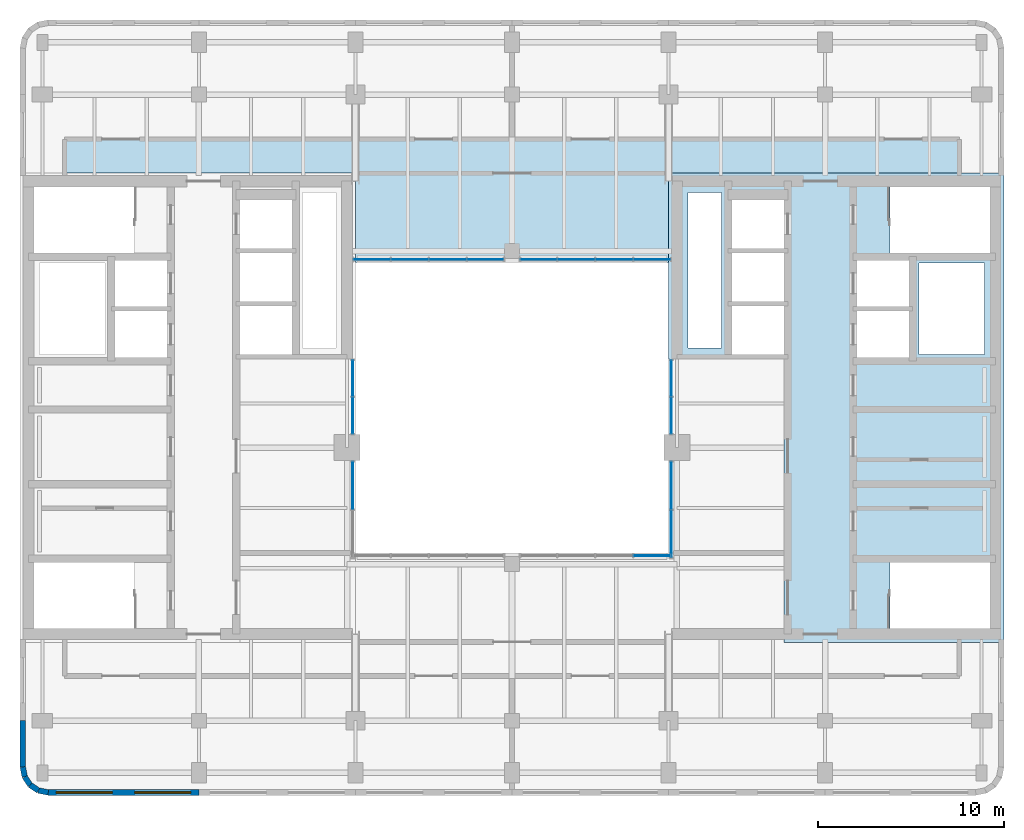
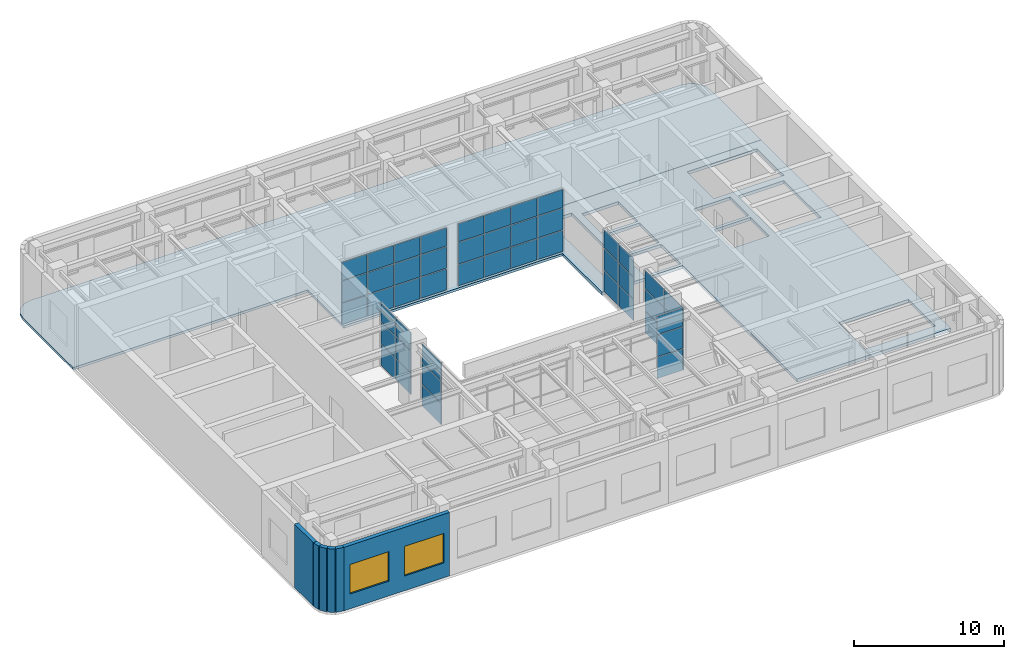
# One storey, part 6 of 11: 48 plates, 6 walls, 2 slabs, 2 windows, 2 openings, 7 elements without a shape of their own.
"""IFC4 building model written with IfcOpenShell, lengths in metres."""

from ifc_helpers import new_model, si_unit, direction, frame, frame_2d, origin, origin_2d, place, context, subcontext, project, spatial, polyline, rectangle, outline, extrude, material, layer, layer_set, type_object, element, fill, aggregate, save


model = new_model("IFC4")

# Units and contexts
model_context = context("Model", 3, precision=1e-05, world=origin(), true_north=direction((0.0, 1.0)))
body_context = subcontext(model_context, "Body", "Model", "MODEL_VIEW")
ifc_project = project(units=[si_unit("LENGTHUNIT", "METRE"), si_unit("AREAUNIT", "SQUARE_METRE"), si_unit("VOLUMEUNIT", "CUBIC_METRE"), si_unit("PLANEANGLEUNIT", "RADIAN"), si_unit("MASSUNIT", "GRAM", prefix="KILO")], contexts=[model_context])

# Site, building, storey
site_placement = place(None, origin())
site = spatial("IfcSite", under=ifc_project, at=site_placement, CompositionType="ELEMENT")
building_placement = place(site_placement, origin())
building = spatial("IfcBuilding", under=site, at=building_placement, Name="Claustro Exchange Tower", CompositionType="ELEMENT")
storey_placement = place(building_placement, frame((0.0, 0.0, 281.699951171875)))
storey = spatial("IfcBuildingStorey", under=building, at=storey_placement, Name="L64", CompositionType="ELEMENT", Elevation=281.699951171875)

# Curtain wall, plates
ifc_material_1 = material(Name="Aluminium frame, clear double glazing", Category="aluminium")
curtain_wall_type = type_object("IfcCurtainWallType", Name="CW4 plant louvre screen", PredefinedType="USERDEFINED", material=ifc_material_1)
curtain_wall_1_placement = place(storey_placement, origin())
curtain_wall_1 = element("IfcCurtainWall", 1, at=curtain_wall_1_placement, inside=storey, type_object=curtain_wall_type, Name="Curtain wall CW4 L64", ObjectType="STICK CURTAIN WALL", PredefinedType="USERDEFINED")
ifc_material_2 = material(Name="Aluminium louvre blades", Category="aluminium")
ifc_layer_1 = layer(ifc_material_2, 0.050048828125)
ifc_layer_set_1 = layer_set([ifc_layer_1], Name="Aluminium louvre blades")
plate_type = type_object("IfcPlateType", Name="CW4-P 50 louvre panel", PredefinedType="CURTAIN_PANEL", material=ifc_layer_set_1)
plate_1_placement = place(storey_placement, frame((16.64990234375, 21.0224609375, 0.06005859375), z_axis=(0.0, 0.0, 1.0), x_axis=(0.0, 1.0, 0.0)))
plate_1 = element("IfcPlate", 2, at=plate_1_placement, type_object=plate_type, Name="CW4 panel 2.1", PredefinedType="CURTAIN_PANEL", context=body_context, shape_type="SweptSolid", body=[
    extrude(rectangle(XDim=2.534912109375, YDim=0.050048828125, at=origin_2d()), origin(), (0.0, 0.0, 1.0), 1.7099609375),
])
plate_2_placement = place(storey_placement, frame((16.64990234375, 21.0224609375, 1.830078125), z_axis=(0.0, 0.0, 1.0), x_axis=(0.0, 1.0, 0.0)))
plate_2 = element("IfcPlate", 3, at=plate_2_placement, type_object=plate_type, Name="CW4 panel 2.2", PredefinedType="CURTAIN_PANEL", context=body_context, shape_type="SweptSolid", body=[
    extrude(rectangle(XDim=2.534912109375, YDim=0.050048828125, at=origin_2d()), origin(), (0.0, 0.0, 1.0), 1.739990234375),
])
plate_3_placement = place(storey_placement, frame((16.64990234375, 21.0224609375, 3.630126953125), z_axis=(0.0, 0.0, 1.0), x_axis=(0.0, 1.0, 0.0)))
plate_3 = element("IfcPlate", 4, at=plate_3_placement, type_object=plate_type, Name="CW4 panel 2.3", PredefinedType="CURTAIN_PANEL", context=body_context, shape_type="SweptSolid", body=[
    extrude(rectangle(XDim=2.534912109375, YDim=0.050048828125, at=origin_2d()), origin(), (0.0, 0.0, 1.0), 1.4599609375),
])
aggregate(curtain_wall_1, [plate_1, plate_2, plate_3])

curtain_wall_2_placement = place(storey_placement, origin())
curtain_wall_2 = element("IfcCurtainWall", 5, at=curtain_wall_2_placement, inside=storey, type_object=curtain_wall_type, Name="Curtain wall CW4 L64", ObjectType="STICK CURTAIN WALL", PredefinedType="USERDEFINED")
plate_4_placement = place(storey_placement, frame((16.64990234375, 24.777587890625, 0.06005859375), z_axis=(0.0, 0.0, 1.0), x_axis=(0.0, 1.0, 0.0)))
plate_4 = element("IfcPlate", 6, at=plate_4_placement, type_object=plate_type, Name="CW4 panel 1.1", PredefinedType="CURTAIN_PANEL", context=body_context, shape_type="SweptSolid", body=[
    extrude(rectangle(XDim=1.93505859375, YDim=0.050048828125, at=origin_2d()), origin(), (0.0, 0.0, 1.0), 1.7099609375),
])
plate_5_placement = place(storey_placement, frame((16.64990234375, 24.777587890625, 1.830078125), z_axis=(0.0, 0.0, 1.0), x_axis=(0.0, 1.0, 0.0)))
plate_5 = element("IfcPlate", 7, at=plate_5_placement, type_object=plate_type, Name="CW4 panel 1.2", PredefinedType="CURTAIN_PANEL", context=body_context, shape_type="SweptSolid", body=[
    extrude(rectangle(XDim=1.93505859375, YDim=0.050048828125, at=origin_2d()), origin(), (0.0, 0.0, 1.0), 1.739990234375),
])
plate_6_placement = place(storey_placement, frame((16.64990234375, 24.777587890625, 3.630126953125), z_axis=(0.0, 0.0, 1.0), x_axis=(0.0, 1.0, 0.0)))
plate_6 = element("IfcPlate", 8, at=plate_6_placement, type_object=plate_type, Name="CW4 panel 1.3", PredefinedType="CURTAIN_PANEL", context=body_context, shape_type="SweptSolid", body=[
    extrude(rectangle(XDim=1.93505859375, YDim=0.050048828125, at=origin_2d()), origin(), (0.0, 0.0, 1.0), 1.4599609375),
])
plate_7_placement = place(storey_placement, frame((16.64990234375, 26.7724609375, 0.06005859375), z_axis=(0.0, 0.0, 1.0), x_axis=(0.0, 1.0, 0.0)))
plate_7 = element("IfcPlate", 9, at=plate_7_placement, type_object=plate_type, Name="CW4 panel 2.1", PredefinedType="CURTAIN_PANEL", context=body_context, shape_type="SweptSolid", body=[
    extrude(rectangle(XDim=1.93505859375, YDim=0.050048828125, at=origin_2d()), origin(), (0.0, 0.0, 1.0), 1.7099609375),
])
plate_8_placement = place(storey_placement, frame((16.64990234375, 26.7724609375, 1.830078125), z_axis=(0.0, 0.0, 1.0), x_axis=(0.0, 1.0, 0.0)))
plate_8 = element("IfcPlate", 10, at=plate_8_placement, type_object=plate_type, Name="CW4 panel 2.2", PredefinedType="CURTAIN_PANEL", context=body_context, shape_type="SweptSolid", body=[
    extrude(rectangle(XDim=1.93505859375, YDim=0.050048828125, at=origin_2d()), origin(), (0.0, 0.0, 1.0), 1.739990234375),
])
plate_9_placement = place(storey_placement, frame((16.64990234375, 26.7724609375, 3.630126953125), z_axis=(0.0, 0.0, 1.0), x_axis=(0.0, 1.0, 0.0)))
plate_9 = element("IfcPlate", 11, at=plate_9_placement, type_object=plate_type, Name="CW4 panel 2.3", PredefinedType="CURTAIN_PANEL", context=body_context, shape_type="SweptSolid", body=[
    extrude(rectangle(XDim=1.93505859375, YDim=0.050048828125, at=origin_2d()), origin(), (0.0, 0.0, 1.0), 1.4599609375),
])
aggregate(curtain_wall_2, [plate_4, plate_5, plate_6, plate_7, plate_8, plate_9])

curtain_wall_3_placement = place(storey_placement, origin())
curtain_wall_3 = element("IfcCurtainWall", 12, at=curtain_wall_3_placement, inside=storey, type_object=curtain_wall_type, Name="Curtain wall CW4 L64", ObjectType="STICK CURTAIN WALL", PredefinedType="USERDEFINED")
plate_10_placement = place(storey_placement, frame((33.75, 18.427490234375, 0.06005859375), z_axis=(0.0, 0.0, 1.0), x_axis=(0.0, 1.0, 0.0)))
plate_10 = element("IfcPlate", 13, at=plate_10_placement, type_object=plate_type, Name="CW4 panel 1.1", PredefinedType="CURTAIN_PANEL", context=body_context, shape_type="SweptSolid", body=[
    extrude(rectangle(XDim=2.534912109375, YDim=0.050048828125, at=origin_2d()), origin(), (0.0, 0.0, 1.0), 1.7099609375),
])
plate_11_placement = place(storey_placement, frame((33.75, 18.427490234375, 1.830078125), z_axis=(0.0, 0.0, 1.0), x_axis=(0.0, 1.0, 0.0)))
plate_11 = element("IfcPlate", 14, at=plate_11_placement, type_object=plate_type, Name="CW4 panel 1.2", PredefinedType="CURTAIN_PANEL", context=body_context, shape_type="SweptSolid", body=[
    extrude(rectangle(XDim=2.534912109375, YDim=0.050048828125, at=origin_2d()), origin(), (0.0, 0.0, 1.0), 1.739990234375),
])
plate_12_placement = place(storey_placement, frame((33.75, 18.427490234375, 3.630126953125), z_axis=(0.0, 0.0, 1.0), x_axis=(0.0, 1.0, 0.0)))
plate_12 = element("IfcPlate", 15, at=plate_12_placement, type_object=plate_type, Name="CW4 panel 1.3", PredefinedType="CURTAIN_PANEL", context=body_context, shape_type="SweptSolid", body=[
    extrude(rectangle(XDim=2.534912109375, YDim=0.050048828125, at=origin_2d()), origin(), (0.0, 0.0, 1.0), 1.4599609375),
])
plate_13_placement = place(storey_placement, frame((33.75, 21.0224609375, 0.06005859375), z_axis=(0.0, 0.0, 1.0), x_axis=(0.0, 1.0, 0.0)))
plate_13 = element("IfcPlate", 16, at=plate_13_placement, type_object=plate_type, Name="CW4 panel 2.1", PredefinedType="CURTAIN_PANEL", context=body_context, shape_type="SweptSolid", body=[
    extrude(rectangle(XDim=2.534912109375, YDim=0.050048828125, at=origin_2d()), origin(), (0.0, 0.0, 1.0), 1.7099609375),
])
plate_14_placement = place(storey_placement, frame((33.75, 21.0224609375, 1.830078125), z_axis=(0.0, 0.0, 1.0), x_axis=(0.0, 1.0, 0.0)))
plate_14 = element("IfcPlate", 17, at=plate_14_placement, type_object=plate_type, Name="CW4 panel 2.2", PredefinedType="CURTAIN_PANEL", context=body_context, shape_type="SweptSolid", body=[
    extrude(rectangle(XDim=2.534912109375, YDim=0.050048828125, at=origin_2d()), origin(), (0.0, 0.0, 1.0), 1.739990234375),
])
plate_15_placement = place(storey_placement, frame((33.75, 21.0224609375, 3.630126953125), z_axis=(0.0, 0.0, 1.0), x_axis=(0.0, 1.0, 0.0)))
plate_15 = element("IfcPlate", 18, at=plate_15_placement, type_object=plate_type, Name="CW4 panel 2.3", PredefinedType="CURTAIN_PANEL", context=body_context, shape_type="SweptSolid", body=[
    extrude(rectangle(XDim=2.534912109375, YDim=0.050048828125, at=origin_2d()), origin(), (0.0, 0.0, 1.0), 1.4599609375),
])
aggregate(curtain_wall_3, [plate_10, plate_11, plate_12, plate_13, plate_14, plate_15])

curtain_wall_4_placement = place(storey_placement, origin())
curtain_wall_4 = element("IfcCurtainWall", 19, at=curtain_wall_4_placement, inside=storey, type_object=curtain_wall_type, Name="Curtain wall CW4 L64", ObjectType="STICK CURTAIN WALL", PredefinedType="USERDEFINED")
plate_16_placement = place(storey_placement, frame((33.75, 24.777587890625, 0.06005859375), z_axis=(0.0, 0.0, 1.0), x_axis=(0.0, 1.0, 0.0)))
plate_16 = element("IfcPlate", 20, at=plate_16_placement, type_object=plate_type, Name="CW4 panel 1.1", PredefinedType="CURTAIN_PANEL", context=body_context, shape_type="SweptSolid", body=[
    extrude(rectangle(XDim=1.93505859375, YDim=0.050048828125, at=origin_2d()), origin(), (0.0, 0.0, 1.0), 1.7099609375),
])
plate_17_placement = place(storey_placement, frame((33.75, 24.777587890625, 1.830078125), z_axis=(0.0, 0.0, 1.0), x_axis=(0.0, 1.0, 0.0)))
plate_17 = element("IfcPlate", 21, at=plate_17_placement, type_object=plate_type, Name="CW4 panel 1.2", PredefinedType="CURTAIN_PANEL", context=body_context, shape_type="SweptSolid", body=[
    extrude(rectangle(XDim=1.93505859375, YDim=0.050048828125, at=origin_2d()), origin(), (0.0, 0.0, 1.0), 1.739990234375),
])
plate_18_placement = place(storey_placement, frame((33.75, 24.777587890625, 3.630126953125), z_axis=(0.0, 0.0, 1.0), x_axis=(0.0, 1.0, 0.0)))
plate_18 = element("IfcPlate", 22, at=plate_18_placement, type_object=plate_type, Name="CW4 panel 1.3", PredefinedType="CURTAIN_PANEL", context=body_context, shape_type="SweptSolid", body=[
    extrude(rectangle(XDim=1.93505859375, YDim=0.050048828125, at=origin_2d()), origin(), (0.0, 0.0, 1.0), 1.4599609375),
])
plate_19_placement = place(storey_placement, frame((33.75, 26.7724609375, 0.06005859375), z_axis=(0.0, 0.0, 1.0), x_axis=(0.0, 1.0, 0.0)))
plate_19 = element("IfcPlate", 23, at=plate_19_placement, type_object=plate_type, Name="CW4 panel 2.1", PredefinedType="CURTAIN_PANEL", context=body_context, shape_type="SweptSolid", body=[
    extrude(rectangle(XDim=1.93505859375, YDim=0.050048828125, at=origin_2d()), origin(), (0.0, 0.0, 1.0), 1.7099609375),
])
plate_20_placement = place(storey_placement, frame((33.75, 26.7724609375, 1.830078125), z_axis=(0.0, 0.0, 1.0), x_axis=(0.0, 1.0, 0.0)))
plate_20 = element("IfcPlate", 24, at=plate_20_placement, type_object=plate_type, Name="CW4 panel 2.2", PredefinedType="CURTAIN_PANEL", context=body_context, shape_type="SweptSolid", body=[
    extrude(rectangle(XDim=1.93505859375, YDim=0.050048828125, at=origin_2d()), origin(), (0.0, 0.0, 1.0), 1.739990234375),
])
plate_21_placement = place(storey_placement, frame((33.75, 26.7724609375, 3.630126953125), z_axis=(0.0, 0.0, 1.0), x_axis=(0.0, 1.0, 0.0)))
plate_21 = element("IfcPlate", 25, at=plate_21_placement, type_object=plate_type, Name="CW4 panel 2.3", PredefinedType="CURTAIN_PANEL", context=body_context, shape_type="SweptSolid", body=[
    extrude(rectangle(XDim=1.93505859375, YDim=0.050048828125, at=origin_2d()), origin(), (0.0, 0.0, 1.0), 1.4599609375),
])
aggregate(curtain_wall_4, [plate_16, plate_17, plate_18, plate_19, plate_20, plate_21])

curtain_wall_5_placement = place(storey_placement, origin())
curtain_wall_5 = element("IfcCurtainWall", 26, at=curtain_wall_5_placement, inside=storey, type_object=curtain_wall_type, Name="Curtain wall CW4 L64", ObjectType="STICK CURTAIN WALL", PredefinedType="USERDEFINED")
plate_22_placement = place(storey_placement, frame((32.71630859375, 17.25, 0.06005859375), z_axis=(0.0, 0.0, 1.0), x_axis=(1.0, 0.0, 0.0)))
plate_22 = element("IfcPlate", 27, at=plate_22_placement, type_object=plate_type, Name="CW4 panel 4.1", PredefinedType="CURTAIN_PANEL", context=body_context, shape_type="SweptSolid", body=[
    extrude(rectangle(XDim=1.947509765625, YDim=0.050048828125, at=origin_2d()), origin(), (0.0, 0.0, 1.0), 1.7099609375),
])
plate_23_placement = place(storey_placement, frame((32.71630859375, 17.25, 1.830078125), z_axis=(0.0, 0.0, 1.0), x_axis=(1.0, 0.0, 0.0)))
plate_23 = element("IfcPlate", 28, at=plate_23_placement, type_object=plate_type, Name="CW4 panel 4.2", PredefinedType="CURTAIN_PANEL", context=body_context, shape_type="SweptSolid", body=[
    extrude(rectangle(XDim=1.947509765625, YDim=0.050048828125, at=origin_2d()), origin(), (0.0, 0.0, 1.0), 1.739990234375),
])
plate_24_placement = place(storey_placement, frame((32.71630859375, 17.25, 3.630126953125), z_axis=(0.0, 0.0, 1.0), x_axis=(1.0, 0.0, 0.0)))
plate_24 = element("IfcPlate", 29, at=plate_24_placement, type_object=plate_type, Name="CW4 panel 4.3", PredefinedType="CURTAIN_PANEL", context=body_context, shape_type="SweptSolid", body=[
    extrude(rectangle(XDim=1.947509765625, YDim=0.050048828125, at=origin_2d()), origin(), (0.0, 0.0, 1.0), 1.4599609375),
])
aggregate(curtain_wall_5, [plate_22, plate_23, plate_24])

curtain_wall_6_placement = place(storey_placement, origin())
curtain_wall_6 = element("IfcCurtainWall", 30, at=curtain_wall_6_placement, inside=storey, type_object=curtain_wall_type, Name="Curtain wall CW4 L64", ObjectType="STICK CURTAIN WALL", PredefinedType="USERDEFINED")
plate_25_placement = place(storey_placement, frame((17.683837890625, 33.14990234375, 0.06005859375), z_axis=(0.0, 0.0, 1.0), x_axis=(1.0, 0.0, 0.0)))
plate_25 = element("IfcPlate", 31, at=plate_25_placement, type_object=plate_type, Name="CW4 panel 1.1", PredefinedType="CURTAIN_PANEL", context=body_context, shape_type="SweptSolid", body=[
    extrude(rectangle(XDim=1.947509765625, YDim=0.050048828125, at=origin_2d()), origin(), (0.0, 0.0, 1.0), 1.7099609375),
])
plate_26_placement = place(storey_placement, frame((17.683837890625, 33.14990234375, 1.830078125), z_axis=(0.0, 0.0, 1.0), x_axis=(1.0, 0.0, 0.0)))
plate_26 = element("IfcPlate", 32, at=plate_26_placement, type_object=plate_type, Name="CW4 panel 1.2", PredefinedType="CURTAIN_PANEL", context=body_context, shape_type="SweptSolid", body=[
    extrude(rectangle(XDim=1.947509765625, YDim=0.050048828125, at=origin_2d()), origin(), (0.0, 0.0, 1.0), 1.739990234375),
])
plate_27_placement = place(storey_placement, frame((17.683837890625, 33.14990234375, 3.630126953125), z_axis=(0.0, 0.0, 1.0), x_axis=(1.0, 0.0, 0.0)))
plate_27 = element("IfcPlate", 33, at=plate_27_placement, type_object=plate_type, Name="CW4 panel 1.3", PredefinedType="CURTAIN_PANEL", context=body_context, shape_type="SweptSolid", body=[
    extrude(rectangle(XDim=1.947509765625, YDim=0.050048828125, at=origin_2d()), origin(), (0.0, 0.0, 1.0), 1.4599609375),
])
plate_28_placement = place(storey_placement, frame((19.706298828125, 33.14990234375, 0.06005859375), z_axis=(0.0, 0.0, 1.0), x_axis=(1.0, 0.0, 0.0)))
plate_28 = element("IfcPlate", 34, at=plate_28_placement, type_object=plate_type, Name="CW4 panel 2.1", PredefinedType="CURTAIN_PANEL", context=body_context, shape_type="SweptSolid", body=[
    extrude(rectangle(XDim=1.9775390625, YDim=0.050048828125, at=origin_2d()), origin(), (0.0, 0.0, 1.0), 1.7099609375),
])
plate_29_placement = place(storey_placement, frame((19.706298828125, 33.14990234375, 1.830078125), z_axis=(0.0, 0.0, 1.0), x_axis=(1.0, 0.0, 0.0)))
plate_29 = element("IfcPlate", 35, at=plate_29_placement, type_object=plate_type, Name="CW4 panel 2.2", PredefinedType="CURTAIN_PANEL", context=body_context, shape_type="SweptSolid", body=[
    extrude(rectangle(XDim=1.9775390625, YDim=0.050048828125, at=origin_2d()), origin(), (0.0, 0.0, 1.0), 1.739990234375),
])
plate_30_placement = place(storey_placement, frame((19.706298828125, 33.14990234375, 3.630126953125), z_axis=(0.0, 0.0, 1.0), x_axis=(1.0, 0.0, 0.0)))
plate_30 = element("IfcPlate", 36, at=plate_30_placement, type_object=plate_type, Name="CW4 panel 2.3", PredefinedType="CURTAIN_PANEL", context=body_context, shape_type="SweptSolid", body=[
    extrude(rectangle(XDim=1.9775390625, YDim=0.050048828125, at=origin_2d()), origin(), (0.0, 0.0, 1.0), 1.4599609375),
])
plate_31_placement = place(storey_placement, frame((21.74365234375, 33.14990234375, 0.06005859375), z_axis=(0.0, 0.0, 1.0), x_axis=(1.0, 0.0, 0.0)))
plate_31 = element("IfcPlate", 37, at=plate_31_placement, type_object=plate_type, Name="CW4 panel 3.1", PredefinedType="CURTAIN_PANEL", context=body_context, shape_type="SweptSolid", body=[
    extrude(rectangle(XDim=1.9775390625, YDim=0.050048828125, at=origin_2d()), origin(), (0.0, 0.0, 1.0), 1.7099609375),
])
plate_32_placement = place(storey_placement, frame((21.74365234375, 33.14990234375, 1.830078125), z_axis=(0.0, 0.0, 1.0), x_axis=(1.0, 0.0, 0.0)))
plate_32 = element("IfcPlate", 38, at=plate_32_placement, type_object=plate_type, Name="CW4 panel 3.2", PredefinedType="CURTAIN_PANEL", context=body_context, shape_type="SweptSolid", body=[
    extrude(rectangle(XDim=1.9775390625, YDim=0.050048828125, at=origin_2d()), origin(), (0.0, 0.0, 1.0), 1.739990234375),
])
plate_33_placement = place(storey_placement, frame((21.74365234375, 33.14990234375, 3.630126953125), z_axis=(0.0, 0.0, 1.0), x_axis=(1.0, 0.0, 0.0)))
plate_33 = element("IfcPlate", 39, at=plate_33_placement, type_object=plate_type, Name="CW4 panel 3.3", PredefinedType="CURTAIN_PANEL", context=body_context, shape_type="SweptSolid", body=[
    extrude(rectangle(XDim=1.9775390625, YDim=0.050048828125, at=origin_2d()), origin(), (0.0, 0.0, 1.0), 1.4599609375),
])
plate_34_placement = place(storey_placement, frame((23.766357421875, 33.14990234375, 0.06005859375), z_axis=(0.0, 0.0, 1.0), x_axis=(1.0, 0.0, 0.0)))
plate_34 = element("IfcPlate", 40, at=plate_34_placement, type_object=plate_type, Name="CW4 panel 4.1", PredefinedType="CURTAIN_PANEL", context=body_context, shape_type="SweptSolid", body=[
    extrude(rectangle(XDim=1.947509765625, YDim=0.050048828125, at=origin_2d()), origin(), (0.0, 0.0, 1.0), 1.7099609375),
])
plate_35_placement = place(storey_placement, frame((23.766357421875, 33.14990234375, 1.830078125), z_axis=(0.0, 0.0, 1.0), x_axis=(1.0, 0.0, 0.0)))
plate_35 = element("IfcPlate", 41, at=plate_35_placement, type_object=plate_type, Name="CW4 panel 4.2", PredefinedType="CURTAIN_PANEL", context=body_context, shape_type="SweptSolid", body=[
    extrude(rectangle(XDim=1.947509765625, YDim=0.050048828125, at=origin_2d()), origin(), (0.0, 0.0, 1.0), 1.739990234375),
])
plate_36_placement = place(storey_placement, frame((23.766357421875, 33.14990234375, 3.630126953125), z_axis=(0.0, 0.0, 1.0), x_axis=(1.0, 0.0, 0.0)))
plate_36 = element("IfcPlate", 42, at=plate_36_placement, type_object=plate_type, Name="CW4 panel 4.3", PredefinedType="CURTAIN_PANEL", context=body_context, shape_type="SweptSolid", body=[
    extrude(rectangle(XDim=1.947509765625, YDim=0.050048828125, at=origin_2d()), origin(), (0.0, 0.0, 1.0), 1.4599609375),
])
aggregate(curtain_wall_6, [plate_25, plate_26, plate_27, plate_28, plate_29, plate_30, plate_31, plate_32, plate_33, plate_34, plate_35, plate_36])

curtain_wall_7_placement = place(storey_placement, origin())
curtain_wall_7 = element("IfcCurtainWall", 43, at=curtain_wall_7_placement, inside=storey, type_object=curtain_wall_type, Name="Curtain wall CW4 L64", ObjectType="STICK CURTAIN WALL", PredefinedType="USERDEFINED")
plate_37_placement = place(storey_placement, frame((26.6337890625, 33.14990234375, 0.06005859375), z_axis=(0.0, 0.0, 1.0), x_axis=(1.0, 0.0, 0.0)))
plate_37 = element("IfcPlate", 44, at=plate_37_placement, type_object=plate_type, Name="CW4 panel 1.1", PredefinedType="CURTAIN_PANEL", context=body_context, shape_type="SweptSolid", body=[
    extrude(rectangle(XDim=1.947509765625, YDim=0.050048828125, at=origin_2d()), origin(), (0.0, 0.0, 1.0), 1.7099609375),
])
plate_38_placement = place(storey_placement, frame((26.6337890625, 33.14990234375, 1.830078125), z_axis=(0.0, 0.0, 1.0), x_axis=(1.0, 0.0, 0.0)))
plate_38 = element("IfcPlate", 45, at=plate_38_placement, type_object=plate_type, Name="CW4 panel 1.2", PredefinedType="CURTAIN_PANEL", context=body_context, shape_type="SweptSolid", body=[
    extrude(rectangle(XDim=1.947509765625, YDim=0.050048828125, at=origin_2d()), origin(), (0.0, 0.0, 1.0), 1.739990234375),
])
plate_39_placement = place(storey_placement, frame((26.6337890625, 33.14990234375, 3.630126953125), z_axis=(0.0, 0.0, 1.0), x_axis=(1.0, 0.0, 0.0)))
plate_39 = element("IfcPlate", 46, at=plate_39_placement, type_object=plate_type, Name="CW4 panel 1.3", PredefinedType="CURTAIN_PANEL", context=body_context, shape_type="SweptSolid", body=[
    extrude(rectangle(XDim=1.947509765625, YDim=0.050048828125, at=origin_2d()), origin(), (0.0, 0.0, 1.0), 1.4599609375),
])
plate_40_placement = place(storey_placement, frame((28.65625, 33.14990234375, 0.06005859375), z_axis=(0.0, 0.0, 1.0), x_axis=(1.0, 0.0, 0.0)))
plate_40 = element("IfcPlate", 47, at=plate_40_placement, type_object=plate_type, Name="CW4 panel 2.1", PredefinedType="CURTAIN_PANEL", context=body_context, shape_type="SweptSolid", body=[
    extrude(rectangle(XDim=1.9775390625, YDim=0.050048828125, at=origin_2d()), origin(), (0.0, 0.0, 1.0), 1.7099609375),
])
plate_41_placement = place(storey_placement, frame((28.65625, 33.14990234375, 1.830078125), z_axis=(0.0, 0.0, 1.0), x_axis=(1.0, 0.0, 0.0)))
plate_41 = element("IfcPlate", 48, at=plate_41_placement, type_object=plate_type, Name="CW4 panel 2.2", PredefinedType="CURTAIN_PANEL", context=body_context, shape_type="SweptSolid", body=[
    extrude(rectangle(XDim=1.9775390625, YDim=0.050048828125, at=origin_2d()), origin(), (0.0, 0.0, 1.0), 1.739990234375),
])
plate_42_placement = place(storey_placement, frame((28.65625, 33.14990234375, 3.630126953125), z_axis=(0.0, 0.0, 1.0), x_axis=(1.0, 0.0, 0.0)))
plate_42 = element("IfcPlate", 49, at=plate_42_placement, type_object=plate_type, Name="CW4 panel 2.3", PredefinedType="CURTAIN_PANEL", context=body_context, shape_type="SweptSolid", body=[
    extrude(rectangle(XDim=1.9775390625, YDim=0.050048828125, at=origin_2d()), origin(), (0.0, 0.0, 1.0), 1.4599609375),
])
plate_43_placement = place(storey_placement, frame((30.69384765625, 33.14990234375, 0.06005859375), z_axis=(0.0, 0.0, 1.0), x_axis=(1.0, 0.0, 0.0)))
plate_43 = element("IfcPlate", 50, at=plate_43_placement, type_object=plate_type, Name="CW4 panel 3.1", PredefinedType="CURTAIN_PANEL", context=body_context, shape_type="SweptSolid", body=[
    extrude(rectangle(XDim=1.9775390625, YDim=0.050048828125, at=origin_2d()), origin(), (0.0, 0.0, 1.0), 1.7099609375),
])
plate_44_placement = place(storey_placement, frame((30.69384765625, 33.14990234375, 1.830078125), z_axis=(0.0, 0.0, 1.0), x_axis=(1.0, 0.0, 0.0)))
plate_44 = element("IfcPlate", 51, at=plate_44_placement, type_object=plate_type, Name="CW4 panel 3.2", PredefinedType="CURTAIN_PANEL", context=body_context, shape_type="SweptSolid", body=[
    extrude(rectangle(XDim=1.9775390625, YDim=0.050048828125, at=origin_2d()), origin(), (0.0, 0.0, 1.0), 1.739990234375),
])
plate_45_placement = place(storey_placement, frame((30.69384765625, 33.14990234375, 3.630126953125), z_axis=(0.0, 0.0, 1.0), x_axis=(1.0, 0.0, 0.0)))
plate_45 = element("IfcPlate", 52, at=plate_45_placement, type_object=plate_type, Name="CW4 panel 3.3", PredefinedType="CURTAIN_PANEL", context=body_context, shape_type="SweptSolid", body=[
    extrude(rectangle(XDim=1.9775390625, YDim=0.050048828125, at=origin_2d()), origin(), (0.0, 0.0, 1.0), 1.4599609375),
])
plate_46_placement = place(storey_placement, frame((32.71630859375, 33.14990234375, 0.06005859375), z_axis=(0.0, 0.0, 1.0), x_axis=(1.0, 0.0, 0.0)))
plate_46 = element("IfcPlate", 53, at=plate_46_placement, type_object=plate_type, Name="CW4 panel 4.1", PredefinedType="CURTAIN_PANEL", context=body_context, shape_type="SweptSolid", body=[
    extrude(rectangle(XDim=1.947509765625, YDim=0.050048828125, at=origin_2d()), origin(), (0.0, 0.0, 1.0), 1.7099609375),
])
plate_47_placement = place(storey_placement, frame((32.71630859375, 33.14990234375, 1.830078125), z_axis=(0.0, 0.0, 1.0), x_axis=(1.0, 0.0, 0.0)))
plate_47 = element("IfcPlate", 54, at=plate_47_placement, type_object=plate_type, Name="CW4 panel 4.2", PredefinedType="CURTAIN_PANEL", context=body_context, shape_type="SweptSolid", body=[
    extrude(rectangle(XDim=1.947509765625, YDim=0.050048828125, at=origin_2d()), origin(), (0.0, 0.0, 1.0), 1.739990234375),
])
plate_48_placement = place(storey_placement, frame((32.71630859375, 33.14990234375, 3.630126953125), z_axis=(0.0, 0.0, 1.0), x_axis=(1.0, 0.0, 0.0)))
plate_48 = element("IfcPlate", 55, at=plate_48_placement, type_object=plate_type, Name="CW4 panel 4.3", PredefinedType="CURTAIN_PANEL", context=body_context, shape_type="SweptSolid", body=[
    extrude(rectangle(XDim=1.947509765625, YDim=0.050048828125, at=origin_2d()), origin(), (0.0, 0.0, 1.0), 1.4599609375),
])
aggregate(curtain_wall_7, [plate_37, plate_38, plate_39, plate_40, plate_41, plate_42, plate_43, plate_44, plate_45, plate_46, plate_47, plate_48])

# Slabs
ifc_material_3 = material(Name="Concrete HA-50 (C50/60)", Category="concrete")
ifc_layer_2 = layer(ifc_material_3, 0.199951171875)
ifc_layer_set_2 = layer_set([ifc_layer_2], Name="Concrete HA-50 (C50/60)")
slab_type_1 = type_object("IfcSlabType", Name="S3 200 plant floor slab", PredefinedType="FLOOR", material=ifc_layer_set_2)
slab_1_placement = place(storey_placement, frame((0.0, 0.0, -0.199951171875)))
element("IfcSlab", 56, at=slab_1_placement, inside=storey, type_object=slab_type_1, Name="Floor slab S3 N L64", PredefinedType="FLOOR", context=body_context, shape_type="SweptSolid", body=[
    extrude(outline(polyline([(16.800048828125, 37.800048828125), (16.800048828125, 33.0), (33.60009765625, 33.0), (33.60009765625, 37.800048828125), (51.60009765625, 37.800048828125), (51.60009765625, 44.5), (51.48583984375, 45.073974609375), (51.16064453125, 45.560791015625), (50.674072265625, 45.8857421875), (50.10009765625, 46.0), (0.300048828125, 46.0), (-0.27392578125, 45.8857421875), (-0.7607421875, 45.560791015625), (-1.085693359375, 45.073974609375), (-1.199951171875, 44.5), (-1.199951171875, 37.800048828125), (16.800048828125, 37.800048828125)])), origin(), (0.0, 0.0, 1.0), 0.199951171875),
])
ifc_material_4 = material(Name="Concrete HA-50 (C50/60)", Category="concrete")
ifc_layer_3 = layer(ifc_material_4, 0.25)
ifc_layer_set_3 = layer_set([ifc_layer_3], Name="Concrete HA-50 (C50/60)")
slab_type_2 = type_object("IfcSlabType", Name="S7 250 core floor slab", PredefinedType="FLOOR", material=ifc_layer_set_3)
slab_2_placement = place(storey_placement, frame((0.0, 0.0, -0.25)))
element("IfcSlab", 57, at=slab_2_placement, inside=storey, type_object=slab_type_2, Name="Core floor slab S7 E core L64", PredefinedType="FLOOR", context=body_context, shape_type="SweptSolid", body=[
    extrude(outline(polyline([(51.60009765625, 37.800048828125), (33.60009765625, 37.800048828125), (33.60009765625, 27.800048828125), (39.800048828125, 27.800048828125), (39.800048828125, 12.60009765625), (51.60009765625, 12.60009765625), (51.60009765625, 37.800048828125)]), holes=[polyline([(45.47998046875, 15.125), (45.485107421875, 15.125), (45.485107421875, 16.89990234375), (50.85009765625, 16.89990234375), (50.85009765625, 15.125), (50.85009765625, 13.35009765625), (45.47998046875, 13.35009765625), (45.47998046875, 15.125)]), polyline([(45.47998046875, 35.27490234375), (45.47998046875, 37.050048828125), (50.85009765625, 37.050048828125), (50.85009765625, 35.27490234375), (50.85009765625, 33.5), (45.485107421875, 33.5), (45.485107421875, 35.27490234375), (45.47998046875, 35.27490234375)]), polyline([(47.050048828125, 32.949951171875), (50.550048828125, 32.949951171875), (50.550048828125, 28.050048828125), (47.050048828125, 28.050048828125), (47.050048828125, 32.949951171875)]), polyline([(43.699951171875, 30.375), (46.5, 30.375), (46.5, 27.89990234375), (43.699951171875, 27.89990234375), (43.699951171875, 30.375)]), polyline([(43.699951171875, 33.10009765625), (46.5, 33.10009765625), (46.5, 30.625), (43.699951171875, 30.625), (43.699951171875, 33.10009765625)]), polyline([(37.0, 30.64990234375), (39.800048828125, 30.64990234375), (39.800048828125, 28.050048828125), (37.0, 28.050048828125), (37.0, 30.64990234375)]), polyline([(37.0, 33.5), (39.800048828125, 33.5), (39.800048828125, 30.89990234375), (37.0, 30.89990234375), (37.0, 33.5)]), polyline([(39.800048828125, 36.35009765625), (39.800048828125, 33.75), (37.0, 33.75), (37.0, 36.35009765625), (39.800048828125, 36.35009765625)]), polyline([(34.64990234375, 36.75), (36.449951171875, 36.75), (36.449951171875, 28.39990234375), (34.64990234375, 28.39990234375), (34.64990234375, 36.75)])]), origin(), (0.0, 0.0, 1.0), 0.25),
])

# Wall, openings, windows
ifc_material_5 = material(Name="Concrete HA-40 (C40/50), precast, white cement, acid-etched", Category="concrete")
ifc_layer_4 = layer(ifc_material_5, 0.300048828125)
ifc_layer_set_4 = layer_set([ifc_layer_4], Name="Concrete HA-40 (C40/50), precast, white cement, acid-etched")
wall_type = type_object("IfcWallType", Name="PC1 300 precast concrete pier panel", PredefinedType="SOLIDWALL", material=ifc_layer_set_4)
wall_1_placement = place(storey_placement, frame((8.39990234375, 4.550048828125, 0.0), z_axis=(0.0, 0.0, 1.0), x_axis=(-1.0, 0.0, 0.0)))
wall_1 = element("IfcWall", 58, at=wall_1_placement, inside=storey, type_object=wall_type, Name="Precast pier panel PC1 L64", PredefinedType="SOLIDWALL", context=body_context, shape_type="SweptSolid", body=[
    extrude(rectangle(XDim=8.085205078125, YDim=0.300048828125, at=frame_2d((4.04248046875, 0.0))), origin(), (0.0, 0.0, 1.0), 5.150146484375),
])
opening_1_placement = place(wall_1_placement, frame((0.442626953125, 0.0, 1.199951171875)))
opening_1 = element("IfcOpeningElement", 59, at=opening_1_placement, cuts=wall_1, Name="Opening L1", PredefinedType="OPENING", context=body_context, shape_type="SweptSolid", body=[
    extrude(rectangle(XDim=3.0, YDim=2.39990234375, at=frame_2d((1.5, 1.199951171875))), frame((0.0, 0.159912109375, 0.0), z_axis=(0.0, -1.0, 0.0), x_axis=(1.0, 0.0, 0.0)), (0.0, 0.0, 1.0), 0.320068359375),
])
opening_2_placement = place(wall_1_placement, frame((4.642578125, 0.0, 1.199951171875)))
opening_2 = element("IfcOpeningElement", 60, at=opening_2_placement, cuts=wall_1, Name="Opening L1", PredefinedType="OPENING", context=body_context, shape_type="SweptSolid", body=[
    extrude(rectangle(XDim=3.0, YDim=2.39990234375, at=frame_2d((1.5, 1.199951171875))), frame((0.0, 0.159912109375, 0.0), z_axis=(0.0, -1.0, 0.0), x_axis=(1.0, 0.0, 0.0)), (0.0, 0.0, 1.0), 0.320068359375),
])
ifc_material_6 = material(Name="Aluminium louvre blades", Category="aluminium")
window_type = type_object("IfcWindowType", Name="L1 3000 x 2400 plant louvre", PartitioningType="SINGLE_PANEL", PredefinedType="USERDEFINED", material=ifc_material_6)
window_1_placement = place(opening_1_placement, origin())
window_1 = element("IfcWindow", 61, at=window_1_placement, inside=storey, type_object=window_type, Name="Plant louvre L1 L64", ObjectType="LOUVRE", OverallHeight=2.39990234375, OverallWidth=3.0, PartitioningType="SINGLE_PANEL", PredefinedType="USERDEFINED", context=body_context, shape_type="SweptSolid", body=[
    extrude(rectangle(XDim=3.0, YDim=2.39990234375, at=frame_2d((1.5, 1.199951171875))), frame((0.0, 0.030029296875, 0.0), z_axis=(0.0, -1.0, 0.0), x_axis=(1.0, 0.0, 0.0)), (0.0, 0.0, 1.0), 0.06005859375),
])
fill(opening_1, window_1)
window_2_placement = place(opening_2_placement, origin())
window_2 = element("IfcWindow", 62, at=window_2_placement, inside=storey, type_object=window_type, Name="Plant louvre L1 L64", ObjectType="LOUVRE", OverallHeight=2.39990234375, OverallWidth=3.0, PartitioningType="SINGLE_PANEL", PredefinedType="USERDEFINED", context=body_context, shape_type="SweptSolid", body=[
    extrude(rectangle(XDim=3.0, YDim=2.39990234375, at=frame_2d((1.5, 1.199951171875))), frame((0.0, 0.030029296875, 0.0), z_axis=(0.0, -1.0, 0.0), x_axis=(1.0, 0.0, 0.0)), (0.0, 0.0, 1.0), 0.06005859375),
])
fill(opening_2, window_2)

# Walls
wall_2_placement = place(storey_placement, frame((0.314697265625, 4.550048828125, 0.0), z_axis=(0.0, 0.0, 1.0), x_axis=(-0.980788534345, 0.195073962632, 0.0)))
element("IfcWall", 63, at=wall_2_placement, inside=storey, type_object=wall_type, Name="Precast pier panel PC1 L64", PredefinedType="SOLIDWALL", context=body_context, shape_type="SweptSolid", body=[
    extrude(rectangle(XDim=0.540771484375, YDim=0.300048828125, at=frame_2d((0.2705078125, 0.0))), origin(), (0.0, 0.0, 1.0), 5.150146484375),
])
for number, where, z_axis, x_axis, name in (
    (64, (-0.215576171875, 4.655517578125, 0.0), (0.0, 0.0, 1.0), (-0.831478144188, 0.555557463938, 0.0), "Precast pier panel PC1 L64"),
    (65, (-0.652587890625, 4.947509765625, 0.0), (0.0, 0.0, 1.0), (-0.555557463938, 0.831478144188, 0.0), "Precast pier panel PC1 L64"),
):
    element("IfcWall", number, at=place(storey_placement, frame(where, z_axis=z_axis, x_axis=x_axis)), inside=storey, type_object=wall_type, Name=name, PredefinedType="SOLIDWALL", context=body_context, shape_type="SweptSolid", body=[
        extrude(rectangle(XDim=0.525634765625, YDim=0.300048828125, at=frame_2d((0.2626953125, 0.0))), origin(), (0.0, 0.0, 1.0), 5.150146484375),
    ])
wall_3_placement = place(storey_placement, frame((-0.944580078125, 5.384521484375, 0.0), z_axis=(0.0, 0.0, 1.0), x_axis=(-0.195073962632, 0.980788534345, 0.0)))
element("IfcWall", 66, at=wall_3_placement, inside=storey, type_object=wall_type, Name="Precast pier panel PC1 L64", PredefinedType="SOLIDWALL", context=body_context, shape_type="SweptSolid", body=[
    extrude(rectangle(XDim=0.540771484375, YDim=0.300048828125, at=frame_2d((0.2705078125, 0.0))), origin(), (0.0, 0.0, 1.0), 5.150146484375),
])
wall_4_placement = place(storey_placement, frame((-1.050048828125, 5.914794921875, 0.0), z_axis=(0.0, 0.0, 1.0), x_axis=(0.0, 1.0, 0.0)))
element("IfcWall", 67, at=wall_4_placement, inside=storey, type_object=wall_type, Name="Precast pier panel PC1 L64", PredefinedType="SOLIDWALL", context=body_context, shape_type="SweptSolid", body=[
    extrude(rectangle(XDim=2.485107421875, YDim=0.300048828125, at=frame_2d((1.24267578125, 0.0))), origin(), (0.0, 0.0, 1.0), 5.150146484375),
])

save(model, "model.ifc")
